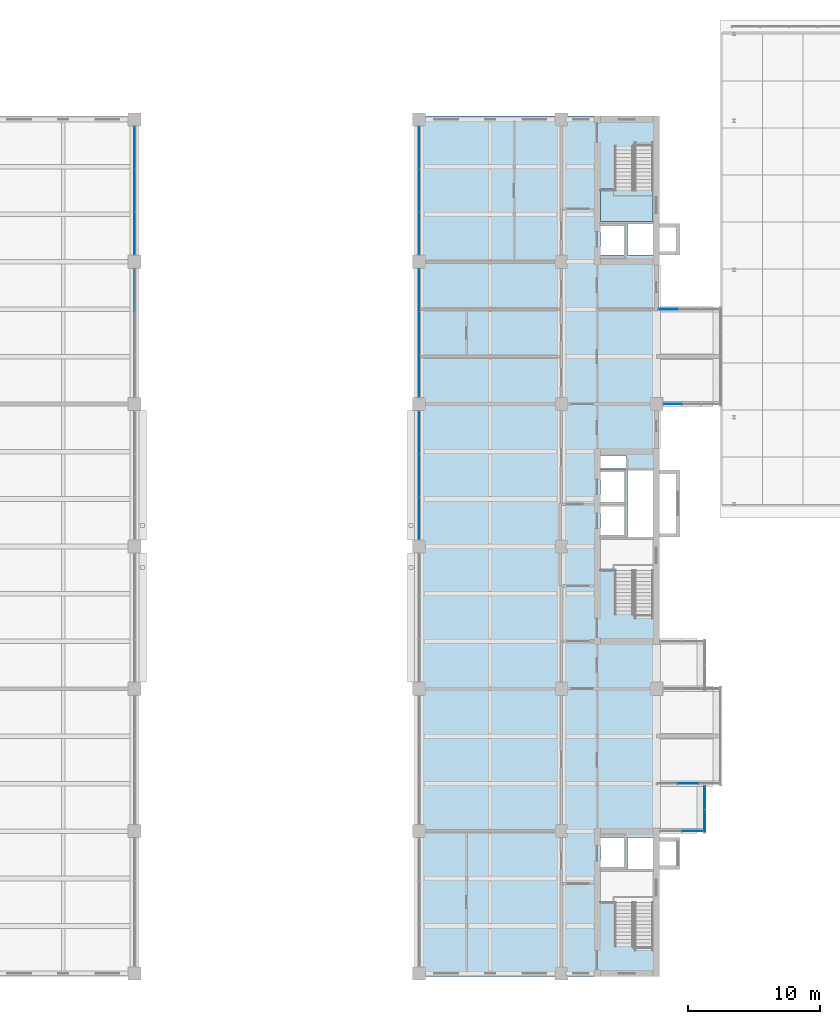
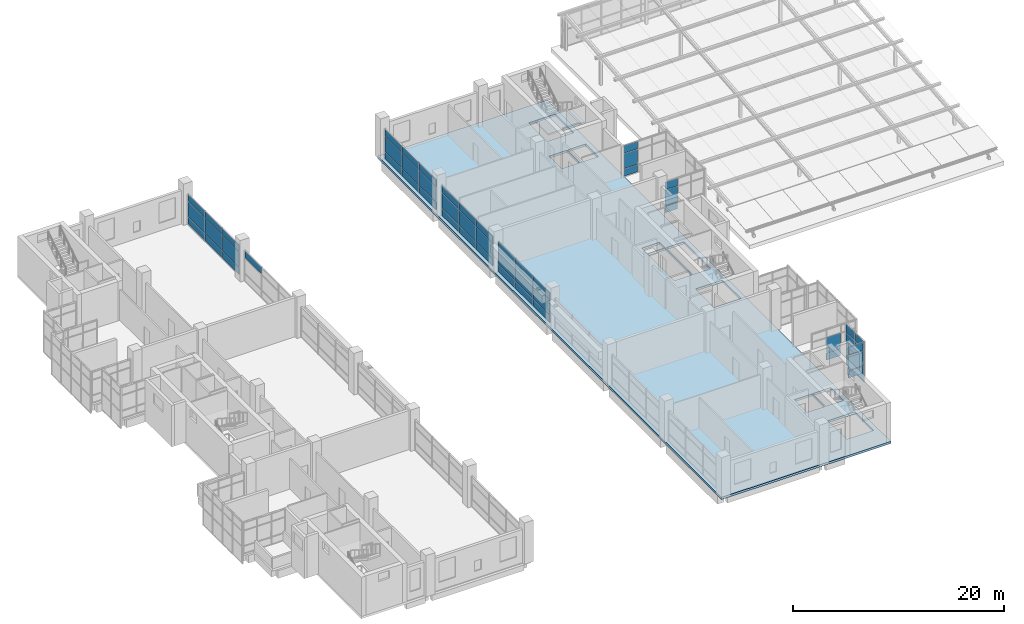
# One storey, part 32 of 44: 54 plates, 2 slabs, 11 elements without a shape of their own.
"""IFC4 building model written with IfcOpenShell, lengths in metres."""

from ifc_helpers import new_model, si_unit, direction, frame, origin, origin_2d, place, context, subcontext, project, spatial, polyline, rectangle, outline, extrude, material, layer, layer_set, type_object, element, aggregate, save


model = new_model("IFC4")

# Units and contexts
model_context = context("Model", 3, precision=1e-05, world=origin(), true_north=direction((0.0, 1.0)))
body_context = subcontext(model_context, "Body", "Model", "MODEL_VIEW")
ifc_project = project(units=[si_unit("LENGTHUNIT", "METRE"), si_unit("AREAUNIT", "SQUARE_METRE"), si_unit("VOLUMEUNIT", "CUBIC_METRE"), si_unit("PLANEANGLEUNIT", "RADIAN"), si_unit("MASSUNIT", "GRAM", prefix="KILO")], contexts=[model_context])

# Site, building, storey
site_placement = place(None, origin())
site = spatial("IfcSite", under=ifc_project, at=site_placement, CompositionType="ELEMENT")
building_placement = place(site_placement, origin())
building = spatial("IfcBuilding", under=site, at=building_placement, Name="Basin Gate Institute", CompositionType="ELEMENT")
storey_placement = place(building_placement, frame((0.0, 0.0, 27.0)))
storey = spatial("IfcBuildingStorey", under=building, at=storey_placement, Name="L05", CompositionType="ELEMENT", Elevation=27.0)

# Slab
ifc_material_1 = material(Name="Concrete 40 MPa", Category="concrete")
ifc_layer_1 = layer(ifc_material_1, 0.25)
ifc_layer_set_1 = layer_set([ifc_layer_1], Name="Concrete 40 MPa")
slab_type_1 = type_object("IfcSlabType", Name="Slab SL4 R120", PredefinedType="FLOOR", material=ifc_layer_set_1)
slab_1_placement = place(storey_placement, frame((0.0, 0.0, -0.25)))
element("IfcSlab", 1, at=slab_1_placement, inside=storey, type_object=slab_type_1, material=ifc_layer_set_1, Name="SLAB/L05/E", PredefinedType="FLOOR", context=body_context, shape_type="SweptSolid", body=[
    extrude(outline(polyline([(119.050048828125, 100.14990234375), (100.449951171875, 100.14990234375), (100.449951171875, 34.85009765625), (119.050048828125, 34.85009765625), (119.050048828125, 100.14990234375)]), holes=[polyline([(118.550048828125, 40.7900390625), (115.60009765625, 40.7900390625), (115.60009765625, 37.25), (118.550048828125, 37.25), (118.550048828125, 40.7900390625)]), polyline([(118.550048828125, 65.989990234375), (115.60009765625, 65.989990234375), (115.60009765625, 62.449951171875), (118.550048828125, 62.449951171875), (118.550048828125, 65.989990234375)]), polyline([(118.550048828125, 97.75), (115.60009765625, 97.75), (115.60009765625, 94.2099609375), (118.550048828125, 94.2099609375), (118.550048828125, 97.75)]), polyline([(118.550048828125, 45.39990234375), (116.60009765625, 45.39990234375), (116.60009765625, 43.0), (118.550048828125, 43.0), (118.550048828125, 45.39990234375)]), polyline([(118.550048828125, 73.300048828125), (116.60009765625, 73.300048828125), (116.60009765625, 68.199951171875), (118.550048828125, 68.199951171875), (118.550048828125, 73.300048828125)]), polyline([(116.5, 74.39990234375), (114.550048828125, 74.39990234375), (114.550048828125, 73.39990234375), (116.5, 73.39990234375), (116.5, 74.39990234375)]), polyline([(118.550048828125, 92.0), (116.60009765625, 92.0), (116.60009765625, 89.60009765625), (118.550048828125, 89.60009765625), (118.550048828125, 92.0)]), polyline([(116.5, 45.39990234375), (114.550048828125, 45.39990234375), (114.550048828125, 43.0), (116.5, 43.0), (116.5, 45.39990234375)]), polyline([(116.5, 68.199951171875), (114.550048828125, 68.199951171875), (114.550048828125, 73.300048828125), (116.5, 73.300048828125), (116.5, 68.199951171875)]), polyline([(116.5, 92.0), (114.550048828125, 92.0), (114.550048828125, 89.60009765625), (116.5, 89.60009765625), (116.5, 92.0)])]), origin(), (0.0, 0.0, 1.0), 0.25),
])

# Curtain wall, plate
ifc_material_2 = material(Name="Aluminium-framed glazing", Category="aluminium")
ifc_layer_2 = layer(ifc_material_2, 0.199951171875)
ifc_layer_set_2 = layer_set([ifc_layer_2], Name="Atrium curtain wall CW2")
curtain_wall_type_1 = type_object("IfcCurtainWallType", Name="Atrium curtain wall CW2", PredefinedType="NOTDEFINED", material=ifc_layer_set_2)
curtain_wall_1_placement = place(storey_placement, origin())
curtain_wall_1 = element("IfcCurtainWall", 2, at=curtain_wall_1_placement, inside=storey, type_object=curtain_wall_type_1, material=ifc_layer_set_2, Name="Atrium curtain wall W wing atrium bay 5 L05", PredefinedType="NOTDEFINED")
ifc_material_3 = material(Name="Aluminium insulated spandrel panel", Category="aluminium")
ifc_layer_3 = layer(ifc_material_3, 0.050048828125)
ifc_layer_set_3 = layer_set([ifc_layer_3], Name="Spandrel panel PN2")
plate_type_1 = type_object("IfcPlateType", Name="Spandrel panel PN2", PredefinedType="CURTAIN_PANEL", material=ifc_layer_set_3)
plate_1_placement = place(storey_placement, frame((79.199951171875, 86.95166015625, 2.72998046875), z_axis=(0.0, 0.0, 1.0), x_axis=(0.0, 1.0, 0.0)))
plate_1 = element("IfcPlate", 3, at=plate_1_placement, type_object=plate_type_1, material=ifc_layer_set_3, Name="CW2 spandrel panel 3.3", PredefinedType="CURTAIN_PANEL", context=body_context, shape_type="SweptSolid", body=[
    extrude(rectangle(XDim=3.1767578125, YDim=0.050048828125, at=origin_2d()), origin(), (0.0, 0.0, 1.0), 0.760009765625),
])
aggregate(curtain_wall_1, [plate_1])

# Curtain wall, plates
curtain_wall_2_placement = place(storey_placement, origin())
curtain_wall_2 = element("IfcCurtainWall", 4, at=curtain_wall_2_placement, inside=storey, type_object=curtain_wall_type_1, material=ifc_layer_set_2, Name="Atrium curtain wall W wing atrium bay 6 L05", PredefinedType="NOTDEFINED")
plate_2_placement = place(storey_placement, frame((79.199951171875, 91.248291015625, 0.06005859375), z_axis=(0.0, 0.0, 1.0), x_axis=(0.0, 1.0, 0.0)))
plate_2 = element("IfcPlate", 5, at=plate_2_placement, type_object=plate_type_1, material=ifc_layer_set_3, Name="CW2 spandrel panel 1.1", PredefinedType="CURTAIN_PANEL", context=body_context, shape_type="SweptSolid", body=[
    extrude(rectangle(XDim=3.1767578125, YDim=0.050048828125, at=origin_2d()), origin(), (0.0, 0.0, 1.0), 0.81005859375),
])
plate_3_placement = place(storey_placement, frame((79.199951171875, 91.248291015625, 2.72998046875), z_axis=(0.0, 0.0, 1.0), x_axis=(0.0, 1.0, 0.0)))
plate_3 = element("IfcPlate", 6, at=plate_3_placement, type_object=plate_type_1, material=ifc_layer_set_3, Name="CW2 spandrel panel 1.3", PredefinedType="CURTAIN_PANEL", context=body_context, shape_type="SweptSolid", body=[
    extrude(rectangle(XDim=3.1767578125, YDim=0.050048828125, at=origin_2d()), origin(), (0.0, 0.0, 1.0), 0.760009765625),
])
plate_4_placement = place(storey_placement, frame((79.199951171875, 94.5, 0.06005859375), z_axis=(0.0, 0.0, 1.0), x_axis=(0.0, 1.0, 0.0)))
plate_4 = element("IfcPlate", 7, at=plate_4_placement, type_object=plate_type_1, material=ifc_layer_set_3, Name="CW2 spandrel panel 2.1", PredefinedType="CURTAIN_PANEL", context=body_context, shape_type="SweptSolid", body=[
    extrude(rectangle(XDim=3.206787109375, YDim=0.050048828125, at=origin_2d()), origin(), (0.0, 0.0, 1.0), 0.81005859375),
])
plate_5_placement = place(storey_placement, frame((79.199951171875, 94.5, 2.72998046875), z_axis=(0.0, 0.0, 1.0), x_axis=(0.0, 1.0, 0.0)))
plate_5 = element("IfcPlate", 8, at=plate_5_placement, type_object=plate_type_1, material=ifc_layer_set_3, Name="CW2 spandrel panel 2.3", PredefinedType="CURTAIN_PANEL", context=body_context, shape_type="SweptSolid", body=[
    extrude(rectangle(XDim=3.206787109375, YDim=0.050048828125, at=origin_2d()), origin(), (0.0, 0.0, 1.0), 0.760009765625),
])
plate_6_placement = place(storey_placement, frame((79.199951171875, 97.751708984375, 0.06005859375), z_axis=(0.0, 0.0, 1.0), x_axis=(0.0, 1.0, 0.0)))
plate_6 = element("IfcPlate", 9, at=plate_6_placement, type_object=plate_type_1, material=ifc_layer_set_3, Name="CW2 spandrel panel 3.1", PredefinedType="CURTAIN_PANEL", context=body_context, shape_type="SweptSolid", body=[
    extrude(rectangle(XDim=3.1767578125, YDim=0.050048828125, at=origin_2d()), origin(), (0.0, 0.0, 1.0), 0.81005859375),
])
plate_7_placement = place(storey_placement, frame((79.199951171875, 97.751708984375, 2.72998046875), z_axis=(0.0, 0.0, 1.0), x_axis=(0.0, 1.0, 0.0)))
plate_7 = element("IfcPlate", 10, at=plate_7_placement, type_object=plate_type_1, material=ifc_layer_set_3, Name="CW2 spandrel panel 3.3", PredefinedType="CURTAIN_PANEL", context=body_context, shape_type="SweptSolid", body=[
    extrude(rectangle(XDim=3.1767578125, YDim=0.050048828125, at=origin_2d()), origin(), (0.0, 0.0, 1.0), 0.760009765625),
])

curtain_wall_3_placement = place(storey_placement, origin())
curtain_wall_3 = element("IfcCurtainWall", 11, at=curtain_wall_3_placement, inside=storey, type_object=curtain_wall_type_1, material=ifc_layer_set_2, Name="Atrium curtain wall E wing atrium bay 4 L05", PredefinedType="NOTDEFINED")
plate_8_placement = place(storey_placement, frame((100.800048828125, 69.6484375, 0.06005859375), z_axis=(0.0, 0.0, 1.0), x_axis=(0.0, 1.0, 0.0)))
plate_8 = element("IfcPlate", 12, at=plate_8_placement, type_object=plate_type_1, material=ifc_layer_set_3, Name="CW2 spandrel panel 1.1", PredefinedType="CURTAIN_PANEL", context=body_context, shape_type="SweptSolid", body=[
    extrude(rectangle(XDim=3.1767578125, YDim=0.050048828125, at=origin_2d()), origin(), (0.0, 0.0, 1.0), 0.81005859375),
])
plate_9_placement = place(storey_placement, frame((100.800048828125, 69.6484375, 2.72998046875), z_axis=(0.0, 0.0, 1.0), x_axis=(0.0, 1.0, 0.0)))
plate_9 = element("IfcPlate", 13, at=plate_9_placement, type_object=plate_type_1, material=ifc_layer_set_3, Name="CW2 spandrel panel 1.3", PredefinedType="CURTAIN_PANEL", context=body_context, shape_type="SweptSolid", body=[
    extrude(rectangle(XDim=3.1767578125, YDim=0.050048828125, at=origin_2d()), origin(), (0.0, 0.0, 1.0), 0.760009765625),
])
plate_10_placement = place(storey_placement, frame((100.800048828125, 72.89990234375, 0.06005859375), z_axis=(0.0, 0.0, 1.0), x_axis=(0.0, 1.0, 0.0)))
plate_10 = element("IfcPlate", 14, at=plate_10_placement, type_object=plate_type_1, material=ifc_layer_set_3, Name="CW2 spandrel panel 2.1", PredefinedType="CURTAIN_PANEL", context=body_context, shape_type="SweptSolid", body=[
    extrude(rectangle(XDim=3.206787109375, YDim=0.050048828125, at=origin_2d()), origin(), (0.0, 0.0, 1.0), 0.81005859375),
])
plate_11_placement = place(storey_placement, frame((100.800048828125, 72.89990234375, 2.72998046875), z_axis=(0.0, 0.0, 1.0), x_axis=(0.0, 1.0, 0.0)))
plate_11 = element("IfcPlate", 15, at=plate_11_placement, type_object=plate_type_1, material=ifc_layer_set_3, Name="CW2 spandrel panel 2.3", PredefinedType="CURTAIN_PANEL", context=body_context, shape_type="SweptSolid", body=[
    extrude(rectangle(XDim=3.206787109375, YDim=0.050048828125, at=origin_2d()), origin(), (0.0, 0.0, 1.0), 0.760009765625),
])
plate_12_placement = place(storey_placement, frame((100.800048828125, 76.151611328125, 0.06005859375), z_axis=(0.0, 0.0, 1.0), x_axis=(0.0, 1.0, 0.0)))
plate_12 = element("IfcPlate", 16, at=plate_12_placement, type_object=plate_type_1, material=ifc_layer_set_3, Name="CW2 spandrel panel 3.1", PredefinedType="CURTAIN_PANEL", context=body_context, shape_type="SweptSolid", body=[
    extrude(rectangle(XDim=3.1767578125, YDim=0.050048828125, at=origin_2d()), origin(), (0.0, 0.0, 1.0), 0.81005859375),
])
plate_13_placement = place(storey_placement, frame((100.800048828125, 76.151611328125, 2.72998046875), z_axis=(0.0, 0.0, 1.0), x_axis=(0.0, 1.0, 0.0)))
plate_13 = element("IfcPlate", 17, at=plate_13_placement, type_object=plate_type_1, material=ifc_layer_set_3, Name="CW2 spandrel panel 3.3", PredefinedType="CURTAIN_PANEL", context=body_context, shape_type="SweptSolid", body=[
    extrude(rectangle(XDim=3.1767578125, YDim=0.050048828125, at=origin_2d()), origin(), (0.0, 0.0, 1.0), 0.760009765625),
])

curtain_wall_4_placement = place(storey_placement, origin())
curtain_wall_4 = element("IfcCurtainWall", 18, at=curtain_wall_4_placement, inside=storey, type_object=curtain_wall_type_1, material=ifc_layer_set_2, Name="Atrium curtain wall E wing atrium bay 5 L05", PredefinedType="NOTDEFINED")
plate_14_placement = place(storey_placement, frame((100.800048828125, 80.4482421875, 0.06005859375), z_axis=(0.0, 0.0, 1.0), x_axis=(0.0, 1.0, 0.0)))
plate_14 = element("IfcPlate", 19, at=plate_14_placement, type_object=plate_type_1, material=ifc_layer_set_3, Name="CW2 spandrel panel 1.1", PredefinedType="CURTAIN_PANEL", context=body_context, shape_type="SweptSolid", body=[
    extrude(rectangle(XDim=3.1767578125, YDim=0.050048828125, at=origin_2d()), origin(), (0.0, 0.0, 1.0), 0.81005859375),
])
plate_15_placement = place(storey_placement, frame((100.800048828125, 80.4482421875, 2.72998046875), z_axis=(0.0, 0.0, 1.0), x_axis=(0.0, 1.0, 0.0)))
plate_15 = element("IfcPlate", 20, at=plate_15_placement, type_object=plate_type_1, material=ifc_layer_set_3, Name="CW2 spandrel panel 1.3", PredefinedType="CURTAIN_PANEL", context=body_context, shape_type="SweptSolid", body=[
    extrude(rectangle(XDim=3.1767578125, YDim=0.050048828125, at=origin_2d()), origin(), (0.0, 0.0, 1.0), 0.760009765625),
])
plate_16_placement = place(storey_placement, frame((100.800048828125, 83.699951171875, 0.06005859375), z_axis=(0.0, 0.0, 1.0), x_axis=(0.0, 1.0, 0.0)))
plate_16 = element("IfcPlate", 21, at=plate_16_placement, type_object=plate_type_1, material=ifc_layer_set_3, Name="CW2 spandrel panel 2.1", PredefinedType="CURTAIN_PANEL", context=body_context, shape_type="SweptSolid", body=[
    extrude(rectangle(XDim=3.206787109375, YDim=0.050048828125, at=origin_2d()), origin(), (0.0, 0.0, 1.0), 0.81005859375),
])
plate_17_placement = place(storey_placement, frame((100.800048828125, 83.699951171875, 2.72998046875), z_axis=(0.0, 0.0, 1.0), x_axis=(0.0, 1.0, 0.0)))
plate_17 = element("IfcPlate", 22, at=plate_17_placement, type_object=plate_type_1, material=ifc_layer_set_3, Name="CW2 spandrel panel 2.3", PredefinedType="CURTAIN_PANEL", context=body_context, shape_type="SweptSolid", body=[
    extrude(rectangle(XDim=3.206787109375, YDim=0.050048828125, at=origin_2d()), origin(), (0.0, 0.0, 1.0), 0.760009765625),
])
plate_18_placement = place(storey_placement, frame((100.800048828125, 86.95166015625, 0.06005859375), z_axis=(0.0, 0.0, 1.0), x_axis=(0.0, 1.0, 0.0)))
plate_18 = element("IfcPlate", 23, at=plate_18_placement, type_object=plate_type_1, material=ifc_layer_set_3, Name="CW2 spandrel panel 3.1", PredefinedType="CURTAIN_PANEL", context=body_context, shape_type="SweptSolid", body=[
    extrude(rectangle(XDim=3.1767578125, YDim=0.050048828125, at=origin_2d()), origin(), (0.0, 0.0, 1.0), 0.81005859375),
])
plate_19_placement = place(storey_placement, frame((100.800048828125, 86.95166015625, 2.72998046875), z_axis=(0.0, 0.0, 1.0), x_axis=(0.0, 1.0, 0.0)))
plate_19 = element("IfcPlate", 24, at=plate_19_placement, type_object=plate_type_1, material=ifc_layer_set_3, Name="CW2 spandrel panel 3.3", PredefinedType="CURTAIN_PANEL", context=body_context, shape_type="SweptSolid", body=[
    extrude(rectangle(XDim=3.1767578125, YDim=0.050048828125, at=origin_2d()), origin(), (0.0, 0.0, 1.0), 0.760009765625),
])

curtain_wall_5_placement = place(storey_placement, origin())
curtain_wall_5 = element("IfcCurtainWall", 25, at=curtain_wall_5_placement, inside=storey, type_object=curtain_wall_type_1, material=ifc_layer_set_2, Name="Atrium curtain wall E wing atrium bay 6 L05", PredefinedType="NOTDEFINED")
plate_20_placement = place(storey_placement, frame((100.800048828125, 91.248291015625, 0.06005859375), z_axis=(0.0, 0.0, 1.0), x_axis=(0.0, 1.0, 0.0)))
plate_20 = element("IfcPlate", 26, at=plate_20_placement, type_object=plate_type_1, material=ifc_layer_set_3, Name="CW2 spandrel panel 1.1", PredefinedType="CURTAIN_PANEL", context=body_context, shape_type="SweptSolid", body=[
    extrude(rectangle(XDim=3.1767578125, YDim=0.050048828125, at=origin_2d()), origin(), (0.0, 0.0, 1.0), 0.81005859375),
])
plate_21_placement = place(storey_placement, frame((100.800048828125, 91.248291015625, 2.72998046875), z_axis=(0.0, 0.0, 1.0), x_axis=(0.0, 1.0, 0.0)))
plate_21 = element("IfcPlate", 27, at=plate_21_placement, type_object=plate_type_1, material=ifc_layer_set_3, Name="CW2 spandrel panel 1.3", PredefinedType="CURTAIN_PANEL", context=body_context, shape_type="SweptSolid", body=[
    extrude(rectangle(XDim=3.1767578125, YDim=0.050048828125, at=origin_2d()), origin(), (0.0, 0.0, 1.0), 0.760009765625),
])
plate_22_placement = place(storey_placement, frame((100.800048828125, 94.5, 0.06005859375), z_axis=(0.0, 0.0, 1.0), x_axis=(0.0, 1.0, 0.0)))
plate_22 = element("IfcPlate", 28, at=plate_22_placement, type_object=plate_type_1, material=ifc_layer_set_3, Name="CW2 spandrel panel 2.1", PredefinedType="CURTAIN_PANEL", context=body_context, shape_type="SweptSolid", body=[
    extrude(rectangle(XDim=3.206787109375, YDim=0.050048828125, at=origin_2d()), origin(), (0.0, 0.0, 1.0), 0.81005859375),
])
plate_23_placement = place(storey_placement, frame((100.800048828125, 94.5, 2.72998046875), z_axis=(0.0, 0.0, 1.0), x_axis=(0.0, 1.0, 0.0)))
plate_23 = element("IfcPlate", 29, at=plate_23_placement, type_object=plate_type_1, material=ifc_layer_set_3, Name="CW2 spandrel panel 2.3", PredefinedType="CURTAIN_PANEL", context=body_context, shape_type="SweptSolid", body=[
    extrude(rectangle(XDim=3.206787109375, YDim=0.050048828125, at=origin_2d()), origin(), (0.0, 0.0, 1.0), 0.760009765625),
])
plate_24_placement = place(storey_placement, frame((100.800048828125, 97.751708984375, 0.06005859375), z_axis=(0.0, 0.0, 1.0), x_axis=(0.0, 1.0, 0.0)))
plate_24 = element("IfcPlate", 30, at=plate_24_placement, type_object=plate_type_1, material=ifc_layer_set_3, Name="CW2 spandrel panel 3.1", PredefinedType="CURTAIN_PANEL", context=body_context, shape_type="SweptSolid", body=[
    extrude(rectangle(XDim=3.1767578125, YDim=0.050048828125, at=origin_2d()), origin(), (0.0, 0.0, 1.0), 0.81005859375),
])
plate_25_placement = place(storey_placement, frame((100.800048828125, 97.751708984375, 2.72998046875), z_axis=(0.0, 0.0, 1.0), x_axis=(0.0, 1.0, 0.0)))
plate_25 = element("IfcPlate", 31, at=plate_25_placement, type_object=plate_type_1, material=ifc_layer_set_3, Name="CW2 spandrel panel 3.3", PredefinedType="CURTAIN_PANEL", context=body_context, shape_type="SweptSolid", body=[
    extrude(rectangle(XDim=3.1767578125, YDim=0.050048828125, at=origin_2d()), origin(), (0.0, 0.0, 1.0), 0.760009765625),
])

# Curtain wall, plate
ifc_material_4 = material(Name="Aluminium-framed glazing", Category="aluminium")
ifc_layer_4 = layer(ifc_material_4, 0.14990234375)
ifc_layer_set_4 = layer_set([ifc_layer_4], Name="Capsule front curtain wall CW1")
curtain_wall_type_2 = type_object("IfcCurtainWallType", Name="Capsule front curtain wall CW1", PredefinedType="NOTDEFINED", material=ifc_layer_set_4)
curtain_wall_6_placement = place(storey_placement, origin())
curtain_wall_6 = element("IfcCurtainWall", 32, at=curtain_wall_6_placement, inside=storey, type_object=curtain_wall_type_2, material=ifc_layer_set_4, Name="Capsule front curtain wall E wing capsule end L05 line 4", PredefinedType="NOTDEFINED")
plate_26_placement = place(storey_placement, frame((121.550048828125, 45.89990234375, 0.06005859375), z_axis=(0.0, 0.0, 1.0), x_axis=(-1.0, 0.0, 0.0)))
plate_26 = element("IfcPlate", 33, at=plate_26_placement, type_object=plate_type_1, material=ifc_layer_set_3, Name="CW1 spandrel panel 1.1", PredefinedType="CURTAIN_PANEL", context=body_context, shape_type="SweptSolid", body=[
    extrude(rectangle(XDim=1.60009765625, YDim=0.050048828125, at=origin_2d()), origin(), (0.0, 0.0, 1.0), 0.81005859375),
])

curtain_wall_7_placement = place(storey_placement, origin())
curtain_wall_7 = element("IfcCurtainWall", 34, at=curtain_wall_7_placement, inside=storey, type_object=curtain_wall_type_2, material=ifc_layer_set_4, Name="Capsule front curtain wall E wing capsule end L05 line 5", PredefinedType="NOTDEFINED")
plate_27_placement = place(storey_placement, frame((121.199951171875, 49.5, 0.06005859375), z_axis=(0.0, 0.0, 1.0), x_axis=(-1.0, 0.0, 0.0)))
plate_27 = element("IfcPlate", 35, at=plate_27_placement, type_object=plate_type_1, material=ifc_layer_set_3, Name="CW1 spandrel panel 2.1", PredefinedType="CURTAIN_PANEL", context=body_context, shape_type="SweptSolid", body=[
    extrude(rectangle(XDim=1.550048828125, YDim=0.050048828125, at=origin_2d()), origin(), (0.0, 0.0, 1.0), 0.81005859375),
])

curtain_wall_8_placement = place(storey_placement, origin())
curtain_wall_8 = element("IfcCurtainWall", 36, at=curtain_wall_8_placement, inside=storey, type_object=curtain_wall_type_2, material=ifc_layer_set_4, Name="Capsule front curtain wall E wing capsule end L05 line 13", PredefinedType="NOTDEFINED")
plate_28_placement = place(storey_placement, frame((120.029052734375, 78.300048828125, 0.06005859375), z_axis=(0.0, 0.0, 1.0), x_axis=(-1.0, 0.0, 0.0)))
plate_28 = element("IfcPlate", 37, at=plate_28_placement, type_object=plate_type_1, material=ifc_layer_set_3, Name="CW1 spandrel panel 3.1", PredefinedType="CURTAIN_PANEL", context=body_context, shape_type="SweptSolid", body=[
    extrude(rectangle(XDim=1.3583984375, YDim=0.050048828125, at=origin_2d()), origin(), (0.0, 0.0, 1.0), 0.81005859375),
])

curtain_wall_9_placement = place(storey_placement, origin())
curtain_wall_9 = element("IfcCurtainWall", 38, at=curtain_wall_9_placement, inside=storey, type_object=curtain_wall_type_2, material=ifc_layer_set_4, Name="Capsule front curtain wall E wing capsule end L05 line 15", PredefinedType="NOTDEFINED")
plate_29_placement = place(storey_placement, frame((119.737548828125, 85.5, 0.06005859375), z_axis=(0.0, 0.0, 1.0), x_axis=(-1.0, 0.0, 0.0)))
plate_29 = element("IfcPlate", 39, at=plate_29_placement, type_object=plate_type_1, material=ifc_layer_set_3, Name="CW1 spandrel panel 3.1", PredefinedType="CURTAIN_PANEL", context=body_context, shape_type="SweptSolid", body=[
    extrude(rectangle(XDim=1.47509765625, YDim=0.050048828125, at=origin_2d()), origin(), (0.0, 0.0, 1.0), 0.81005859375),
])

# Curtain wall, plates
curtain_wall_10_placement = place(storey_placement, origin())
curtain_wall_10 = element("IfcCurtainWall", 40, at=curtain_wall_10_placement, inside=storey, type_object=curtain_wall_type_2, material=ifc_layer_set_4, Name="Capsule front curtain wall E wing capsule 1 L05 front 1", PredefinedType="NOTDEFINED")
plate_30_placement = place(storey_placement, frame((122.47509765625, 46.66259765625, -0.990234375), z_axis=(0.0, 0.0, 1.0), x_axis=(0.0, 1.0, 0.0)))
plate_30 = element("IfcPlate", 41, at=plate_30_placement, type_object=plate_type_1, material=ifc_layer_set_3, Name="CW1 spandrel panel 1.1", PredefinedType="CURTAIN_PANEL", context=body_context, shape_type="SweptSolid", body=[
    extrude(rectangle(XDim=1.72509765625, YDim=0.050048828125, at=origin_2d()), origin(), (0.0, 0.0, 1.0), 1.860107421875),
])
plate_31_placement = place(storey_placement, frame((122.47509765625, 48.4375, -0.990234375), z_axis=(0.0, 0.0, 1.0), x_axis=(0.0, 1.0, 0.0)))
plate_31 = element("IfcPlate", 42, at=plate_31_placement, type_object=plate_type_1, material=ifc_layer_set_3, Name="CW1 spandrel panel 2.1", PredefinedType="CURTAIN_PANEL", context=body_context, shape_type="SweptSolid", body=[
    extrude(rectangle(XDim=1.72509765625, YDim=0.050048828125, at=origin_2d()), origin(), (0.0, 0.0, 1.0), 1.860107421875),
])

# Stair, slab
ifc_material_5 = material(Name="Concrete 40 MPa", Category="concrete")
stair_type = type_object("IfcStairType", Name="Stair ST", PredefinedType="HALF_TURN_STAIR", material=ifc_material_5)
stair_placement = place(storey_placement, origin())
stair = element("IfcStair", 43, at=stair_placement, inside=storey, type_object=stair_type, material=ifc_material_5, Name="Special safe stair ST-EN L05", PredefinedType="HALF_TURN_STAIR")
ifc_material_6 = material(Name="Concrete 40 MPa", Category="concrete")
ifc_layer_5 = layer(ifc_material_6, 0.199951171875)
ifc_layer_set_5 = layer_set([ifc_layer_5], Name="Concrete 40 MPa")
slab_type_2 = type_object("IfcSlabType", Name="Stair landing LN REI 120", PredefinedType="LANDING", material=ifc_layer_set_5)
slab_2_placement = place(storey_placement, frame((0.0, 0.0, 2.288818359375)))
slab_2 = element("IfcSlab", 44, at=slab_2_placement, type_object=slab_type_2, material=ifc_layer_set_5, Name="Stair landing ST-EN-L1 L05", PredefinedType="LANDING", context=body_context, shape_type="SweptSolid", body=[
    extrude(outline(polyline([(118.550048828125, 94.6298828125), (114.550048828125, 94.6298828125), (114.550048828125, 92.14990234375), (118.550048828125, 92.14990234375), (118.550048828125, 94.6298828125)])), origin(), (0.0, 0.0, 1.0), 0.199951171875),
])
aggregate(stair, [slab_2])

# Plate
ifc_material_7 = material(Name="Double glazed unit")
ifc_layer_6 = layer(ifc_material_7, 0.028076171875)
ifc_layer_set_6 = layer_set([ifc_layer_6], Name="Vision panel PN1")
plate_type_2 = type_object("IfcPlateType", Name="Vision panel PN1", PredefinedType="CURTAIN_PANEL", material=ifc_layer_set_6)
plate_32_placement = place(storey_placement, frame((79.199951171875, 91.248291015625, 0.93017578125), z_axis=(0.0, 0.0, 1.0), x_axis=(0.0, 1.0, 0.0)))
plate_32 = element("IfcPlate", 45, at=plate_32_placement, type_object=plate_type_2, material=ifc_layer_set_6, Name="CW2 vision panel 1.2", PredefinedType="CURTAIN_PANEL", context=body_context, shape_type="SweptSolid", body=[
    extrude(rectangle(XDim=3.1767578125, YDim=0.028076171875, at=origin_2d()), origin(), (0.0, 0.0, 1.0), 1.739990234375),
])

plate_33_placement = place(storey_placement, frame((79.199951171875, 94.5, 0.93017578125), z_axis=(0.0, 0.0, 1.0), x_axis=(0.0, 1.0, 0.0)))
plate_33 = element("IfcPlate", 46, at=plate_33_placement, type_object=plate_type_2, material=ifc_layer_set_6, Name="CW2 vision panel 2.2", PredefinedType="CURTAIN_PANEL", context=body_context, shape_type="SweptSolid", body=[
    extrude(rectangle(XDim=3.206787109375, YDim=0.028076171875, at=origin_2d()), origin(), (0.0, 0.0, 1.0), 1.739990234375),
])

plate_34_placement = place(storey_placement, frame((79.199951171875, 97.751708984375, 0.93017578125), z_axis=(0.0, 0.0, 1.0), x_axis=(0.0, 1.0, 0.0)))
plate_34 = element("IfcPlate", 47, at=plate_34_placement, type_object=plate_type_2, material=ifc_layer_set_6, Name="CW2 vision panel 3.2", PredefinedType="CURTAIN_PANEL", context=body_context, shape_type="SweptSolid", body=[
    extrude(rectangle(XDim=3.1767578125, YDim=0.028076171875, at=origin_2d()), origin(), (0.0, 0.0, 1.0), 1.739990234375),
])

aggregate(curtain_wall_2, [plate_2, plate_32, plate_3, plate_4, plate_33, plate_5, plate_6, plate_34, plate_7])

plate_35_placement = place(storey_placement, frame((100.800048828125, 69.6484375, 0.93017578125), z_axis=(0.0, 0.0, 1.0), x_axis=(0.0, 1.0, 0.0)))
plate_35 = element("IfcPlate", 48, at=plate_35_placement, type_object=plate_type_2, material=ifc_layer_set_6, Name="CW2 vision panel 1.2", PredefinedType="CURTAIN_PANEL", context=body_context, shape_type="SweptSolid", body=[
    extrude(rectangle(XDim=3.1767578125, YDim=0.028076171875, at=origin_2d()), origin(), (0.0, 0.0, 1.0), 1.739990234375),
])

plate_36_placement = place(storey_placement, frame((100.800048828125, 72.89990234375, 0.93017578125), z_axis=(0.0, 0.0, 1.0), x_axis=(0.0, 1.0, 0.0)))
plate_36 = element("IfcPlate", 49, at=plate_36_placement, type_object=plate_type_2, material=ifc_layer_set_6, Name="CW2 vision panel 2.2", PredefinedType="CURTAIN_PANEL", context=body_context, shape_type="SweptSolid", body=[
    extrude(rectangle(XDim=3.206787109375, YDim=0.028076171875, at=origin_2d()), origin(), (0.0, 0.0, 1.0), 1.739990234375),
])

plate_37_placement = place(storey_placement, frame((100.800048828125, 76.151611328125, 0.93017578125), z_axis=(0.0, 0.0, 1.0), x_axis=(0.0, 1.0, 0.0)))
plate_37 = element("IfcPlate", 50, at=plate_37_placement, type_object=plate_type_2, material=ifc_layer_set_6, Name="CW2 vision panel 3.2", PredefinedType="CURTAIN_PANEL", context=body_context, shape_type="SweptSolid", body=[
    extrude(rectangle(XDim=3.1767578125, YDim=0.028076171875, at=origin_2d()), origin(), (0.0, 0.0, 1.0), 1.739990234375),
])

aggregate(curtain_wall_3, [plate_8, plate_35, plate_9, plate_10, plate_36, plate_11, plate_12, plate_37, plate_13])

plate_38_placement = place(storey_placement, frame((100.800048828125, 80.4482421875, 0.93017578125), z_axis=(0.0, 0.0, 1.0), x_axis=(0.0, 1.0, 0.0)))
plate_38 = element("IfcPlate", 51, at=plate_38_placement, type_object=plate_type_2, material=ifc_layer_set_6, Name="CW2 vision panel 1.2", PredefinedType="CURTAIN_PANEL", context=body_context, shape_type="SweptSolid", body=[
    extrude(rectangle(XDim=3.1767578125, YDim=0.028076171875, at=origin_2d()), origin(), (0.0, 0.0, 1.0), 1.739990234375),
])

plate_39_placement = place(storey_placement, frame((100.800048828125, 83.699951171875, 0.93017578125), z_axis=(0.0, 0.0, 1.0), x_axis=(0.0, 1.0, 0.0)))
plate_39 = element("IfcPlate", 52, at=plate_39_placement, type_object=plate_type_2, material=ifc_layer_set_6, Name="CW2 vision panel 2.2", PredefinedType="CURTAIN_PANEL", context=body_context, shape_type="SweptSolid", body=[
    extrude(rectangle(XDim=3.206787109375, YDim=0.028076171875, at=origin_2d()), origin(), (0.0, 0.0, 1.0), 1.739990234375),
])

plate_40_placement = place(storey_placement, frame((100.800048828125, 86.95166015625, 0.93017578125), z_axis=(0.0, 0.0, 1.0), x_axis=(0.0, 1.0, 0.0)))
plate_40 = element("IfcPlate", 53, at=plate_40_placement, type_object=plate_type_2, material=ifc_layer_set_6, Name="CW2 vision panel 3.2", PredefinedType="CURTAIN_PANEL", context=body_context, shape_type="SweptSolid", body=[
    extrude(rectangle(XDim=3.1767578125, YDim=0.028076171875, at=origin_2d()), origin(), (0.0, 0.0, 1.0), 1.739990234375),
])

aggregate(curtain_wall_4, [plate_14, plate_38, plate_15, plate_16, plate_39, plate_17, plate_18, plate_40, plate_19])

plate_41_placement = place(storey_placement, frame((100.800048828125, 91.248291015625, 0.93017578125), z_axis=(0.0, 0.0, 1.0), x_axis=(0.0, 1.0, 0.0)))
plate_41 = element("IfcPlate", 54, at=plate_41_placement, type_object=plate_type_2, material=ifc_layer_set_6, Name="CW2 vision panel 1.2", PredefinedType="CURTAIN_PANEL", context=body_context, shape_type="SweptSolid", body=[
    extrude(rectangle(XDim=3.1767578125, YDim=0.028076171875, at=origin_2d()), origin(), (0.0, 0.0, 1.0), 1.739990234375),
])

plate_42_placement = place(storey_placement, frame((100.800048828125, 94.5, 0.93017578125), z_axis=(0.0, 0.0, 1.0), x_axis=(0.0, 1.0, 0.0)))
plate_42 = element("IfcPlate", 55, at=plate_42_placement, type_object=plate_type_2, material=ifc_layer_set_6, Name="CW2 vision panel 2.2", PredefinedType="CURTAIN_PANEL", context=body_context, shape_type="SweptSolid", body=[
    extrude(rectangle(XDim=3.206787109375, YDim=0.028076171875, at=origin_2d()), origin(), (0.0, 0.0, 1.0), 1.739990234375),
])

plate_43_placement = place(storey_placement, frame((100.800048828125, 97.751708984375, 0.93017578125), z_axis=(0.0, 0.0, 1.0), x_axis=(0.0, 1.0, 0.0)))
plate_43 = element("IfcPlate", 56, at=plate_43_placement, type_object=plate_type_2, material=ifc_layer_set_6, Name="CW2 vision panel 3.2", PredefinedType="CURTAIN_PANEL", context=body_context, shape_type="SweptSolid", body=[
    extrude(rectangle(XDim=3.1767578125, YDim=0.028076171875, at=origin_2d()), origin(), (0.0, 0.0, 1.0), 1.739990234375),
])

aggregate(curtain_wall_5, [plate_20, plate_41, plate_21, plate_22, plate_42, plate_23, plate_24, plate_43, plate_25])

plate_44_placement = place(storey_placement, frame((121.550048828125, 45.89990234375, 0.93017578125), z_axis=(0.0, 0.0, 1.0), x_axis=(-1.0, 0.0, 0.0)))
plate_44 = element("IfcPlate", 57, at=plate_44_placement, type_object=plate_type_2, material=ifc_layer_set_6, Name="CW1 vision panel 1.2", PredefinedType="CURTAIN_PANEL", context=body_context, shape_type="SweptSolid", body=[
    extrude(rectangle(XDim=1.60009765625, YDim=0.028076171875, at=origin_2d()), origin(), (0.0, 0.0, 1.0), 1.739990234375),
])

plate_45_placement = place(storey_placement, frame((121.550048828125, 45.89990234375, 2.72998046875), z_axis=(0.0, 0.0, 1.0), x_axis=(-1.0, 0.0, 0.0)))
plate_45 = element("IfcPlate", 58, at=plate_45_placement, type_object=plate_type_2, material=ifc_layer_set_6, Name="CW1 vision panel 1.3", PredefinedType="CURTAIN_PANEL", context=body_context, shape_type="SweptSolid", body=[
    extrude(rectangle(XDim=1.60009765625, YDim=0.028076171875, at=origin_2d()), origin(), (0.0, 0.0, 1.0), 0.860107421875),
])

aggregate(curtain_wall_6, [plate_26, plate_44, plate_45])

plate_46_placement = place(storey_placement, frame((121.199951171875, 49.5, 0.93017578125), z_axis=(0.0, 0.0, 1.0), x_axis=(-1.0, 0.0, 0.0)))
plate_46 = element("IfcPlate", 59, at=plate_46_placement, type_object=plate_type_2, material=ifc_layer_set_6, Name="CW1 vision panel 2.2", PredefinedType="CURTAIN_PANEL", context=body_context, shape_type="SweptSolid", body=[
    extrude(rectangle(XDim=1.550048828125, YDim=0.028076171875, at=origin_2d()), origin(), (0.0, 0.0, 1.0), 1.739990234375),
])

aggregate(curtain_wall_7, [plate_27, plate_46])

plate_47_placement = place(storey_placement, frame((120.029052734375, 78.300048828125, 0.93017578125), z_axis=(0.0, 0.0, 1.0), x_axis=(-1.0, 0.0, 0.0)))
plate_47 = element("IfcPlate", 60, at=plate_47_placement, type_object=plate_type_2, material=ifc_layer_set_6, Name="CW1 vision panel 3.2", PredefinedType="CURTAIN_PANEL", context=body_context, shape_type="SweptSolid", body=[
    extrude(rectangle(XDim=1.3583984375, YDim=0.028076171875, at=origin_2d()), origin(), (0.0, 0.0, 1.0), 1.739990234375),
])

plate_48_placement = place(storey_placement, frame((120.029052734375, 78.300048828125, 2.72998046875), z_axis=(0.0, 0.0, 1.0), x_axis=(-1.0, 0.0, 0.0)))
plate_48 = element("IfcPlate", 61, at=plate_48_placement, type_object=plate_type_2, material=ifc_layer_set_6, Name="CW1 vision panel 3.3", PredefinedType="CURTAIN_PANEL", context=body_context, shape_type="SweptSolid", body=[
    extrude(rectangle(XDim=1.3583984375, YDim=0.028076171875, at=origin_2d()), origin(), (0.0, 0.0, 1.0), 0.860107421875),
])

aggregate(curtain_wall_8, [plate_28, plate_47, plate_48])

plate_49_placement = place(storey_placement, frame((119.737548828125, 85.5, 0.93017578125), z_axis=(0.0, 0.0, 1.0), x_axis=(-1.0, 0.0, 0.0)))
plate_49 = element("IfcPlate", 62, at=plate_49_placement, type_object=plate_type_2, material=ifc_layer_set_6, Name="CW1 vision panel 3.2", PredefinedType="CURTAIN_PANEL", context=body_context, shape_type="SweptSolid", body=[
    extrude(rectangle(XDim=1.47509765625, YDim=0.028076171875, at=origin_2d()), origin(), (0.0, 0.0, 1.0), 1.739990234375),
])

plate_50_placement = place(storey_placement, frame((119.737548828125, 85.5, 2.72998046875), z_axis=(0.0, 0.0, 1.0), x_axis=(-1.0, 0.0, 0.0)))
plate_50 = element("IfcPlate", 63, at=plate_50_placement, type_object=plate_type_2, material=ifc_layer_set_6, Name="CW1 vision panel 3.3", PredefinedType="CURTAIN_PANEL", context=body_context, shape_type="SweptSolid", body=[
    extrude(rectangle(XDim=1.47509765625, YDim=0.028076171875, at=origin_2d()), origin(), (0.0, 0.0, 1.0), 0.860107421875),
])

aggregate(curtain_wall_9, [plate_29, plate_49, plate_50])

plate_51_placement = place(storey_placement, frame((122.47509765625, 46.66259765625, 0.93017578125), z_axis=(0.0, 0.0, 1.0), x_axis=(0.0, 1.0, 0.0)))
plate_51 = element("IfcPlate", 64, at=plate_51_placement, type_object=plate_type_2, material=ifc_layer_set_6, Name="CW1 vision panel 1.2", PredefinedType="CURTAIN_PANEL", context=body_context, shape_type="SweptSolid", body=[
    extrude(rectangle(XDim=1.72509765625, YDim=0.028076171875, at=origin_2d()), origin(), (0.0, 0.0, 1.0), 1.739990234375),
])

plate_52_placement = place(storey_placement, frame((122.47509765625, 46.66259765625, 2.72998046875), z_axis=(0.0, 0.0, 1.0), x_axis=(0.0, 1.0, 0.0)))
plate_52 = element("IfcPlate", 65, at=plate_52_placement, type_object=plate_type_2, material=ifc_layer_set_6, Name="CW1 vision panel 1.3", PredefinedType="CURTAIN_PANEL", context=body_context, shape_type="SweptSolid", body=[
    extrude(rectangle(XDim=1.72509765625, YDim=0.028076171875, at=origin_2d()), origin(), (0.0, 0.0, 1.0), 0.9599609375),
])

plate_53_placement = place(storey_placement, frame((122.47509765625, 48.4375, 0.93017578125), z_axis=(0.0, 0.0, 1.0), x_axis=(0.0, 1.0, 0.0)))
plate_53 = element("IfcPlate", 66, at=plate_53_placement, type_object=plate_type_2, material=ifc_layer_set_6, Name="CW1 vision panel 2.2", PredefinedType="CURTAIN_PANEL", context=body_context, shape_type="SweptSolid", body=[
    extrude(rectangle(XDim=1.72509765625, YDim=0.028076171875, at=origin_2d()), origin(), (0.0, 0.0, 1.0), 1.739990234375),
])

plate_54_placement = place(storey_placement, frame((122.47509765625, 48.4375, 2.72998046875), z_axis=(0.0, 0.0, 1.0), x_axis=(0.0, 1.0, 0.0)))
plate_54 = element("IfcPlate", 67, at=plate_54_placement, type_object=plate_type_2, material=ifc_layer_set_6, Name="CW1 vision panel 2.3", PredefinedType="CURTAIN_PANEL", context=body_context, shape_type="SweptSolid", body=[
    extrude(rectangle(XDim=1.72509765625, YDim=0.028076171875, at=origin_2d()), origin(), (0.0, 0.0, 1.0), 0.9599609375),
])

aggregate(curtain_wall_10, [plate_30, plate_51, plate_52, plate_31, plate_53, plate_54])

save(model, "model.ifc")
